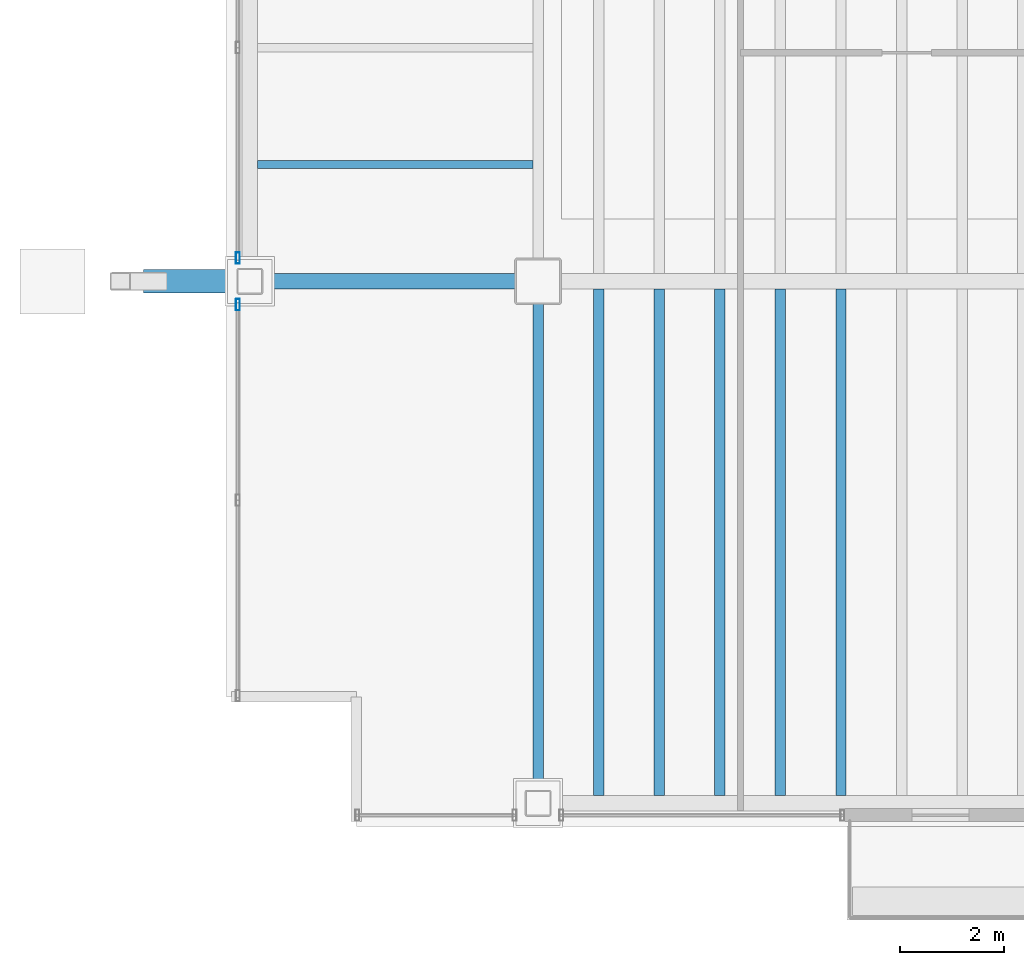
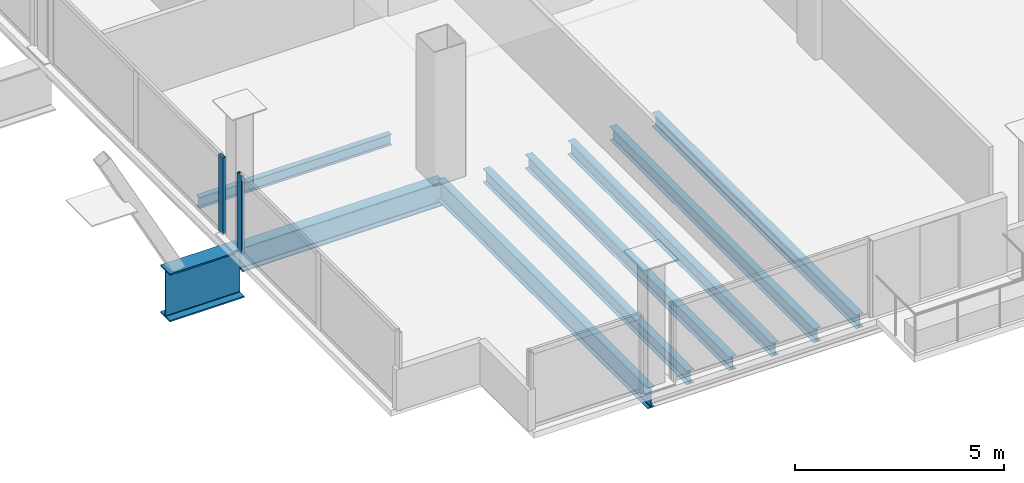
# One storey, part 3 of 21: 9 beams, 2 members, 2 elements without a shape of their own.
"""IFC4 building model written with IfcOpenShell, lengths in metres."""

from ifc_helpers import new_model, si_unit, direction, frame, origin, origin_2d, place, context, subcontext, project, spatial, hollow_rectangle, i_section, extrude, material, material_profile, profile_set, type_object, element, aggregate, save


model = new_model("IFC4")

# Units and contexts
model_context = context("Model", 3, precision=1e-05, world=origin(), true_north=direction((0.0, 1.0)))
body_context = subcontext(model_context, "Body", "Model", "MODEL_VIEW")
ifc_project = project(units=[si_unit("LENGTHUNIT", "METRE"), si_unit("AREAUNIT", "SQUARE_METRE"), si_unit("VOLUMEUNIT", "CUBIC_METRE"), si_unit("PLANEANGLEUNIT", "RADIAN"), si_unit("MASSUNIT", "GRAM", prefix="KILO")], contexts=[model_context])

# Site, building, storey
site_placement = place(None, origin())
site = spatial("IfcSite", under=ifc_project, at=site_placement, CompositionType="ELEMENT")
building_placement = place(site_placement, origin())
building = spatial("IfcBuilding", under=site, at=building_placement, Name="Noeulbin Bourse Tower", CompositionType="ELEMENT")
storey_placement = place(building_placement, frame((0.0, 0.0, 111.0)))
storey = spatial("IfcBuildingStorey", under=building, at=storey_placement, Name="L27", CompositionType="ELEMENT", Elevation=111.0)

# Beams
ifc_material_1 = material(Name="Steel S355", Category="steel")
ifc_material_profile_1 = material_profile(ifc_material_1, i_section(OverallWidth=0.199951171875, OverallDepth=0.60009765625, WebThickness=0.010986328125, FlangeThickness=0.01708984375, FilletRadius=0.02197265625, at=origin_2d()), Name="H-600x200x11x17", Category="LoadBearing")
ifc_profile_set_1 = profile_set([ifc_material_profile_1], Name="Steel S355")
beam_type_1 = type_object("IfcBeamType", Name="BM-GRD-600", PredefinedType="USERDEFINED", material=ifc_profile_set_1)
beam_1_placement = place(storey_placement, frame((13.5, 9.949951171875, -0.47998046875), z_axis=(0.0, 1.0, 0.0), x_axis=(-1.0, 0.0, 0.0)))
element("IfcBeam", 1, at=beam_1_placement, inside=storey, type_object=beam_type_1, Name="Tower Primary Girder NS L27-1.1", ObjectType="GIRDER", PredefinedType="USERDEFINED", context=body_context, shape_type="SweptSolid", body=[
    extrude(i_section(OverallWidth=0.199951171875, OverallDepth=0.60009765625, WebThickness=0.010986328125, FlangeThickness=0.01708984375, FilletRadius=0.02197265625, at=origin_2d()), origin(), (0.0, 0.0, 1.0), 10.050048828125),
])
ifc_material_profile_2 = material_profile(ifc_material_1, i_section(OverallWidth=0.300048828125, OverallDepth=0.699951171875, WebThickness=0.012939453125, FlangeThickness=0.02392578125, FilletRadius=0.02392578125, at=origin_2d()), Name="H-700x300x13x24", Category="LoadBearing")
ifc_profile_set_2 = profile_set([ifc_material_profile_2], Name="Steel S355")
beam_type_2 = type_object("IfcBeamType", Name="BM-GRD-700", PredefinedType="USERDEFINED", material=ifc_profile_set_2)
beam_2_placement = place(storey_placement, frame((7.949951171875, 20.0, -0.530029296875), z_axis=(1.0, 0.0, 0.0), x_axis=(0.0, 1.0, 0.0)))
element("IfcBeam", 2, at=beam_2_placement, inside=storey, type_object=beam_type_2, Name="Tower Primary Girder EW L27-1.1", ObjectType="GIRDER", PredefinedType="USERDEFINED", context=body_context, shape_type="SweptSolid", body=[
    extrude(i_section(OverallWidth=0.300048828125, OverallDepth=0.699951171875, WebThickness=0.012939453125, FlangeThickness=0.02392578125, FilletRadius=0.02392578125, at=origin_2d()), origin(), (0.0, 0.0, 1.0), 5.550048828125),
])
ifc_material_profile_3 = material_profile(ifc_material_1, i_section(OverallWidth=0.159912109375, OverallDepth=0.320068359375, WebThickness=0.006591796875, FlangeThickness=0.010009765625, FilletRadius=0.012939453125, at=origin_2d()), Name="H-320x160x6.5x10", Category="LoadBearing")
ifc_profile_set_3 = profile_set([ifc_material_profile_3], Name="Steel S355")
beam_type_3 = type_object("IfcBeamType", Name="BM-JST-320", PredefinedType="JOIST", material=ifc_profile_set_3)
beam_3_placement = place(storey_placement, frame((8.10009765625, 22.25, -0.340087890625), z_axis=(1.0, 0.0, 0.0), x_axis=(0.0, 1.0, 0.0)))
element("IfcBeam", 3, at=beam_3_placement, inside=storey, type_object=beam_type_3, Name="Wing Composite Joist L27-W70", PredefinedType="JOIST", context=body_context, shape_type="SweptSolid", body=[
    extrude(i_section(OverallWidth=0.159912109375, OverallDepth=0.320068359375, WebThickness=0.006591796875, FlangeThickness=0.010009765625, FilletRadius=0.012939453125, at=origin_2d()), origin(), (0.0, 0.0, 1.0), 5.2998046875),
])
ifc_material_profile_4 = material_profile(ifc_material_1, i_section(OverallWidth=0.199951171875, OverallDepth=0.39990234375, WebThickness=0.008056640625, FlangeThickness=0.012939453125, FilletRadius=0.01611328125, at=origin_2d()), Name="H-400x200x8x13", Category="LoadBearing")
ifc_profile_set_4 = profile_set([ifc_material_profile_4], Name="Steel S355")
beam_type_4 = type_object("IfcBeamType", Name="BM-SEC-400", PredefinedType="BEAM", material=ifc_profile_set_4)
for number, where, z_axis, x_axis, name in (
    (4, (14.666748046875, 10.10009765625, -0.3798828125), (0.0, 1.0, 0.0), (-1.0, 0.0, 0.0), "Tower Composite Joist L27-01"),
    (5, (15.833251953125, 10.10009765625, -0.3798828125), (0.0, 1.0, 0.0), (-1.0, 0.0, 0.0), "Tower Composite Joist L27-04"),
    (6, (17.0, 10.10009765625, -0.3798828125), (0.0, 1.0, 0.0), (-1.0, 0.0, 0.0), "Tower Composite Joist L27-07"),
    (7, (18.166748046875, 10.10009765625, -0.3798828125), (0.0, 1.0, 0.0), (-1.0, 0.0, 0.0), "Tower Composite Joist L27-10"),
    (8, (19.333251953125, 10.10009765625, -0.3798828125), (0.0, 1.0, 0.0), (-1.0, 0.0, 0.0), "Tower Composite Joist L27-13"),
):
    element("IfcBeam", number, at=place(storey_placement, frame(where, z_axis=z_axis, x_axis=x_axis)), inside=storey, type_object=beam_type_4, Name=name, PredefinedType="BEAM", context=body_context, shape_type="SweptSolid", body=[
        extrude(i_section(OverallWidth=0.199951171875, OverallDepth=0.39990234375, WebThickness=0.008056640625, FlangeThickness=0.012939453125, FilletRadius=0.01611328125, at=origin_2d()), origin(), (0.0, 0.0, 1.0), 9.75),
    ])
ifc_material_2 = material(Name="Steel S460", Category="steel")
ifc_material_profile_5 = material_profile(ifc_material_2, i_section(OverallWidth=0.449951171875, OverallDepth=1.39990234375, WebThickness=0.02392578125, FlangeThickness=0.0400390625, FilletRadius=0.02392578125, at=origin_2d()), Name="PG-1400x450x24x40", Category="LoadBearing")
ifc_profile_set_5 = profile_set([ifc_material_profile_5], Name="Steel S460")
beam_type_5 = type_object("IfcBeamType", Name="BM-TRF-1400", PredefinedType="USERDEFINED", material=ifc_profile_set_5)
beam_4_placement = place(storey_placement, frame((5.89990234375, 20.0, -0.8798828125), z_axis=(1.0, 0.0, 0.0), x_axis=(0.0, 1.0, 0.0)))
element("IfcBeam", 9, at=beam_4_placement, inside=storey, type_object=beam_type_5, Name="Transfer Outrigger Corbel L27-01", ObjectType="GIRDER", PredefinedType="USERDEFINED", context=body_context, shape_type="SweptSolid", body=[
    extrude(i_section(OverallWidth=0.449951171875, OverallDepth=1.39990234375, WebThickness=0.02392578125, FlangeThickness=0.0400390625, FilletRadius=0.02392578125, at=origin_2d()), origin(), (0.0, 0.0, 1.0), 2.050048828125),
])

# Curtain wall, member
ifc_material_3 = material(Name="Dark Tinted Triple Glazing", Category="glass")
curtain_wall_type = type_object("IfcCurtainWallType", Name="CW-SYS-3", PredefinedType="NOTDEFINED", material=ifc_material_3)
curtain_wall_1_placement = place(storey_placement, origin())
curtain_wall_1 = element("IfcCurtainWall", 10, at=curtain_wall_1_placement, inside=storey, type_object=curtain_wall_type, Name="Unitised Curtain Wall CW-L27-W-S1", PredefinedType="NOTDEFINED")
ifc_material_4 = material(Name="Anodised Aluminium 6063-T6", Category="aluminium")
ifc_material_profile_6 = material_profile(ifc_material_4, hollow_rectangle(XDim=0.074951171875, YDim=0.219970703125, WallThickness=0.0048828125, InnerFilletRadius=0.00244140625, OuterFilletRadius=0.0048828125, at=origin_2d()), Name="ALU-MULL-75x220x5", Category="LoadBearing")
ifc_profile_set_6 = profile_set([ifc_material_profile_6], Name="Anodised Aluminium 6063-T6")
member_type = type_object("IfcMemberType", Name="CW-SYS-3-MUL", PredefinedType="MULLION", material=ifc_profile_set_6)
member_1_placement = place(storey_placement, frame((7.719970703125, 19.550048828125, -0.02001953125), z_axis=(0.0, 0.0, 1.0), x_axis=(1.0, 0.0, 0.0)))
member_1 = element("IfcMember", 11, at=member_1_placement, type_object=member_type, Name="Curtain Wall Mullion CW-L27-W-S1-M02", PredefinedType="MULLION", context=body_context, shape_type="SweptSolid", body=[
    extrude(hollow_rectangle(XDim=0.074951171875, YDim=0.219970703125, WallThickness=0.0048828125, InnerFilletRadius=0.00244140625, OuterFilletRadius=0.0048828125, at=origin_2d()), origin(), (0.0, 0.0, 1.0), 2.260009765625),
])
aggregate(curtain_wall_1, [member_1])

curtain_wall_2_placement = place(storey_placement, origin())
curtain_wall_2 = element("IfcCurtainWall", 12, at=curtain_wall_2_placement, inside=storey, type_object=curtain_wall_type, Name="Unitised Curtain Wall CW-L27-W-S2", PredefinedType="NOTDEFINED")
member_2_placement = place(storey_placement, frame((7.719970703125, 20.449951171875, -0.02001953125), z_axis=(0.0, 0.0, 1.0), x_axis=(1.0, 0.0, 0.0)))
member_2 = element("IfcMember", 13, at=member_2_placement, type_object=member_type, Name="Curtain Wall Mullion CW-L27-W-S2-M00", PredefinedType="MULLION", context=body_context, shape_type="SweptSolid", body=[
    extrude(hollow_rectangle(XDim=0.074951171875, YDim=0.219970703125, WallThickness=0.0048828125, InnerFilletRadius=0.00244140625, OuterFilletRadius=0.0048828125, at=origin_2d()), origin(), (0.0, 0.0, 1.0), 2.260009765625),
])
aggregate(curtain_wall_2, [member_2])

save(model, "model.ifc")
